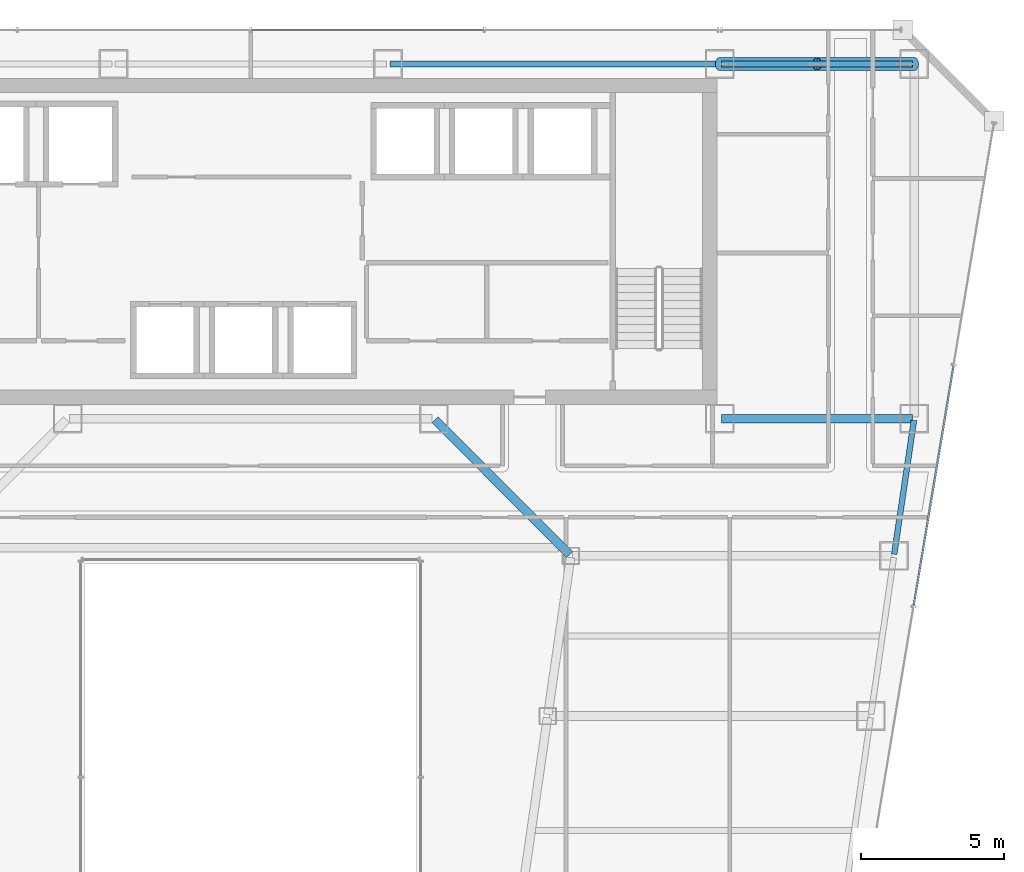
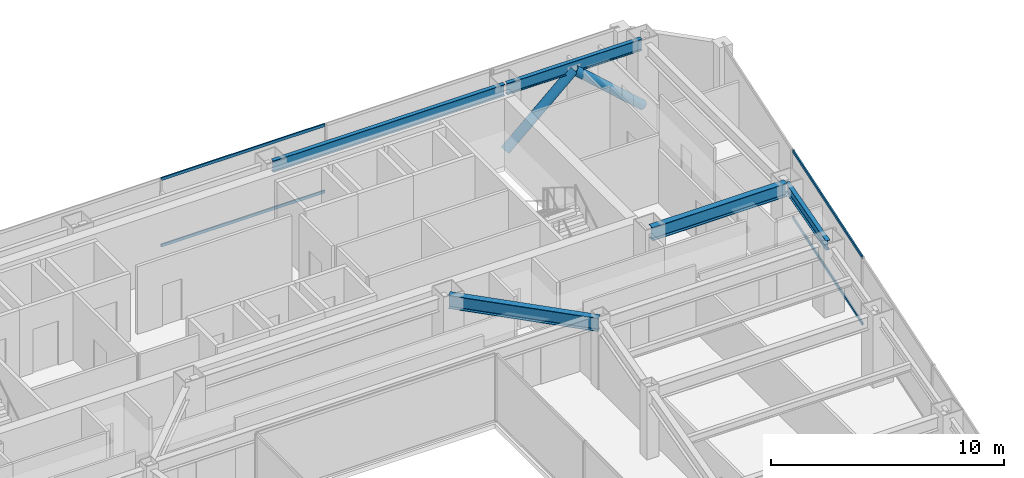
# One storey, part 28 of 40: 6 members, 5 beams, 2 elements without a shape of their own.
"""IFC4 building model written with IfcOpenShell, lengths in metres."""

from ifc_helpers import new_model, si_unit, direction, frame, origin, origin_2d, place, context, subcontext, project, spatial, hollow_rectangle, hollow_circle, i_section, extrude, material, material_profile, profile_set, type_object, element, aggregate, save


model = new_model("IFC4")

# Units and contexts
model_context = context("Model", 3, precision=1e-05, world=origin(), true_north=direction((0.0, 1.0)))
body_context = subcontext(model_context, "Body", "Model", "MODEL_VIEW")
ifc_project = project(units=[si_unit("LENGTHUNIT", "METRE"), si_unit("AREAUNIT", "SQUARE_METRE"), si_unit("VOLUMEUNIT", "CUBIC_METRE"), si_unit("PLANEANGLEUNIT", "RADIAN"), si_unit("MASSUNIT", "GRAM", prefix="KILO")], contexts=[model_context])

# Site, building, storey
site_placement = place(None, origin())
site = spatial("IfcSite", under=ifc_project, at=site_placement, CompositionType="ELEMENT")
building_placement = place(site_placement, origin())
building = spatial("IfcBuilding", under=site, at=building_placement, Name="Saevonmaru Cultural Tower", CompositionType="ELEMENT")
storey_placement = place(building_placement, frame((0.0, 0.0, 129.60009765625)))
storey = spatial("IfcBuildingStorey", under=building, at=storey_placement, Name="L27", CompositionType="ELEMENT", Elevation=129.60009765625)

# Beams
ifc_material_1 = material(Name="Steel SM355", Category="steel")
ifc_material_profile_1 = material_profile(ifc_material_1, i_section(OverallWidth=0.300048828125, OverallDepth=0.699951171875, WebThickness=0.012939453125, FlangeThickness=0.02392578125, FilletRadius=0.02587890625, at=origin_2d()), Name="H-700x300x13x24")
ifc_profile_set_1 = profile_set([ifc_material_profile_1], Name="Steel SM355")
beam_type_1 = type_object("IfcBeamType", Name="BM-G-H700", PredefinedType="BEAM", material=ifc_profile_set_1)
beam_1_placement = place(storey_placement, frame((46.4599609375, 42.39990234375, 3.199951171875), z_axis=(1.0, 0.0, 0.0), x_axis=(0.0, 1.0, 0.0)))
element("IfcBeam", 1, at=beam_1_placement, inside=storey, type_object=beam_type_1, Name="L27 Core South Girder 5", PredefinedType="BEAM", context=body_context, shape_type="SweptSolid", body=[
    extrude(i_section(OverallWidth=0.300048828125, OverallDepth=0.699951171875, WebThickness=0.012939453125, FlangeThickness=0.02392578125, FilletRadius=0.02587890625, at=origin_2d()), origin(), (0.0, 0.0, 1.0), 6.679931640625),
])
beam_2_placement = place(storey_placement, frame((41.149658203125, 37.642578125, 3.199951171875), z_axis=(-0.706538566564, 0.707674539572, 0.0), x_axis=(-0.707674539572, -0.706538566564, 0.0)))
element("IfcBeam", 2, at=beam_2_placement, inside=storey, type_object=beam_type_1, Name="L27 East Atrium Girder 5", PredefinedType="BEAM", context=body_context, shape_type="SweptSolid", body=[
    extrude(i_section(OverallWidth=0.300048828125, OverallDepth=0.699951171875, WebThickness=0.012939453125, FlangeThickness=0.02392578125, FilletRadius=0.02587890625, at=origin_2d()), origin(), (0.0, 0.0, 1.0), 6.662353515625),
])
ifc_material_profile_2 = material_profile(ifc_material_1, i_section(OverallWidth=0.199951171875, OverallDepth=0.5, WebThickness=0.010009765625, FlangeThickness=0.01611328125, FilletRadius=0.02001953125, at=origin_2d()), Name="H-500x200x10x16")
ifc_profile_set_2 = profile_set([ifc_material_profile_2], Name="Steel SM355")
beam_type_2 = type_object("IfcBeamType", Name="BM-SP-H500", PredefinedType="SPANDREL", material=ifc_profile_set_2)
beam_3_placement = place(storey_placement, frame((52.500732421875, 37.659423828125, 3.2998046875), z_axis=(0.145912860028, 0.989297446312, 0.0), x_axis=(-0.989297446312, 0.145912860028, 0.0)))
element("IfcBeam", 3, at=beam_3_placement, inside=storey, type_object=beam_type_2, Name="L27 East Splayed Spandrel 5", PredefinedType="SPANDREL", context=body_context, shape_type="SweptSolid", body=[
    extrude(i_section(OverallWidth=0.199951171875, OverallDepth=0.5, WebThickness=0.010009765625, FlangeThickness=0.01611328125, FilletRadius=0.02001953125, at=origin_2d()), origin(), (0.0, 0.0, 1.0), 4.731689453125),
])
ifc_material_profile_3 = material_profile(ifc_material_1, i_section(OverallWidth=0.199951171875, OverallDepth=0.60009765625, WebThickness=0.010986328125, FlangeThickness=0.01708984375, FilletRadius=0.02197265625, at=origin_2d()), Name="H-600x200x11x17")
ifc_profile_set_3 = profile_set([ifc_material_profile_3], Name="Steel SM355")
beam_type_3 = type_object("IfcBeamType", Name="BM-SP-H600", PredefinedType="SPANDREL", material=ifc_profile_set_3)
beam_4_placement = place(storey_placement, frame((34.860107421875, 54.800048828125, 3.25), z_axis=(1.0, 0.0, 0.0), x_axis=(0.0, 1.0, 0.0)))
element("IfcBeam", 4, at=beam_4_placement, inside=storey, type_object=beam_type_3, Name="L27 North Spine Girder 4", PredefinedType="SPANDREL", context=body_context, shape_type="SweptSolid", body=[
    extrude(i_section(OverallWidth=0.199951171875, OverallDepth=0.60009765625, WebThickness=0.010986328125, FlangeThickness=0.01708984375, FilletRadius=0.02197265625, at=origin_2d()), origin(), (0.0, 0.0, 1.0), 11.47998046875),
])
beam_5_placement = place(storey_placement, frame((46.4599609375, 54.800048828125, 3.25), z_axis=(1.0, 0.0, 0.0), x_axis=(0.0, 1.0, 0.0)))
element("IfcBeam", 5, at=beam_5_placement, inside=storey, type_object=beam_type_3, Name="L27 North Spine Girder 5", PredefinedType="SPANDREL", context=body_context, shape_type="SweptSolid", body=[
    extrude(i_section(OverallWidth=0.199951171875, OverallDepth=0.60009765625, WebThickness=0.010986328125, FlangeThickness=0.01708984375, FilletRadius=0.02197265625, at=origin_2d()), origin(), (0.0, 0.0, 1.0), 6.679931640625),
])

# Members
ifc_material_2 = material(Name="Steel SM420", Category="steel")
ifc_material_profile_4 = material_profile(ifc_material_2, hollow_circle(Radius=0.228515625, WallThickness=0.02001953125, at=origin_2d()), Name="CHS-457.2x20")
ifc_profile_set_4 = profile_set([ifc_material_profile_4], Name="Steel SM420")
member_type_1 = type_object("IfcMemberType", Name="MB-PBR-CHS457", PredefinedType="BRACE", material=ifc_profile_set_4)
member_1_placement = place(storey_placement, frame((46.39990234375, 54.800048828125, 0.02001953125), z_axis=(0.744417347397, 0.0, 0.66771461935), x_axis=(0.0, 1.0, 0.0)))
element("IfcMember", 6, at=member_1_placement, inside=storey, type_object=member_type_1, Name="L27 Perimeter Braced-Tube Diagonal EN1", PredefinedType="BRACE", context=body_context, shape_type="SweptSolid", body=[
    extrude(hollow_circle(Radius=0.228515625, WallThickness=0.02001953125, at=origin_2d()), origin(), (0.0, 0.0, 1.0), 4.567626953125),
])
member_2_placement = place(storey_placement, frame((53.199951171875, 54.800048828125, 0.02001953125), z_axis=(-0.744393515062, 0.0, 0.667741188436), x_axis=(0.0, -1.0, 0.0)))
element("IfcMember", 7, at=member_2_placement, inside=storey, type_object=member_type_1, Name="L27 Perimeter Braced-Tube Diagonal EN2", PredefinedType="BRACE", context=body_context, shape_type="SweptSolid", body=[
    extrude(hollow_circle(Radius=0.228515625, WallThickness=0.02001953125, at=origin_2d()), origin(), (0.0, 0.0, 1.0), 4.5673828125),
])

# Curtain wall, members
ifc_material_3 = material(Name="Satin Bronze Anodised Aluminium", Category="aluminium")
curtain_wall_type = type_object("IfcCurtainWallType", Name="CW-SKY-GLZ", PredefinedType="NOTDEFINED", material=ifc_material_3)
curtain_wall_1_placement = place(storey_placement, origin())
curtain_wall_1 = element("IfcCurtainWall", 8, at=curtain_wall_1_placement, inside=storey, type_object=curtain_wall_type, Name="L27 Unitised Curtain Wall E8", PredefinedType="NOTDEFINED")
ifc_material_profile_5 = material_profile(ifc_material_3, hollow_rectangle(XDim=0.06494140625, YDim=0.14990234375, WallThickness=0.00390625, at=origin_2d()), Name="ALU-TRAN-150x65x4")
ifc_profile_set_5 = profile_set([ifc_material_profile_5], Name="Satin Bronze Anodised Aluminium")
member_type_2 = type_object("IfcMemberType", Name="TR-CW-150x65", PredefinedType="USERDEFINED", material=ifc_profile_set_5)
member_3_placement = place(storey_placement, frame((53.183837890625, 35.860107421875, 0.032470703125), z_axis=(0.164003420685, 0.986459770089, 0.0), x_axis=(-0.986459770089, 0.164003420685, 0.0)))
member_3 = element("IfcMember", 9, at=member_3_placement, type_object=member_type_2, Name="CW-TW-L27-E8 transom 4.1", ObjectType="TRANSOM", PredefinedType="USERDEFINED", context=body_context, shape_type="SweptSolid", body=[
    extrude(hollow_rectangle(XDim=0.06494140625, YDim=0.14990234375, WallThickness=0.00390625, at=origin_2d()), origin(), (0.0, 0.0, 1.0), 8.507568359375),
])
member_4_placement = place(storey_placement, frame((53.183837890625, 35.860107421875, 3.517333984375), z_axis=(0.164003420685, 0.986459770089, 0.0), x_axis=(-0.986459770089, 0.164003420685, 0.0)))
member_4 = element("IfcMember", 10, at=member_4_placement, type_object=member_type_2, Name="CW-TW-L27-E8 transom 4.2", ObjectType="TRANSOM", PredefinedType="USERDEFINED", context=body_context, shape_type="SweptSolid", body=[
    extrude(hollow_rectangle(XDim=0.06494140625, YDim=0.14990234375, WallThickness=0.00390625, at=origin_2d()), origin(), (0.0, 0.0, 1.0), 8.507568359375),
])
aggregate(curtain_wall_1, [member_3, member_4])

curtain_wall_2_placement = place(storey_placement, origin())
curtain_wall_2 = element("IfcCurtainWall", 11, at=curtain_wall_2_placement, inside=storey, type_object=curtain_wall_type, Name="L27 North Spine Unitised Curtain Wall E10B", PredefinedType="NOTDEFINED")
member_5_placement = place(storey_placement, frame((38.137451171875, 56.0, 0.032470703125), z_axis=(-1.0, 0.0, 0.0), x_axis=(0.0, -1.0, 0.0)))
member_5 = element("IfcMember", 12, at=member_5_placement, type_object=member_type_2, Name="CW-TW-L27-E10B transom 2.1", ObjectType="TRANSOM", PredefinedType="USERDEFINED", context=body_context, shape_type="SweptSolid", body=[
    extrude(hollow_rectangle(XDim=0.06494140625, YDim=0.14990234375, WallThickness=0.00390625, at=origin_2d()), origin(), (0.0, 0.0, 1.0), 8.10498046875),
])
member_6_placement = place(storey_placement, frame((38.137451171875, 56.0, 3.517333984375), z_axis=(-1.0, 0.0, 0.0), x_axis=(0.0, -1.0, 0.0)))
member_6 = element("IfcMember", 13, at=member_6_placement, type_object=member_type_2, Name="CW-TW-L27-E10B transom 2.2", ObjectType="TRANSOM", PredefinedType="USERDEFINED", context=body_context, shape_type="SweptSolid", body=[
    extrude(hollow_rectangle(XDim=0.06494140625, YDim=0.14990234375, WallThickness=0.00390625, at=origin_2d()), origin(), (0.0, 0.0, 1.0), 8.10498046875),
])
aggregate(curtain_wall_2, [member_5, member_6])

save(model, "model.ifc")
